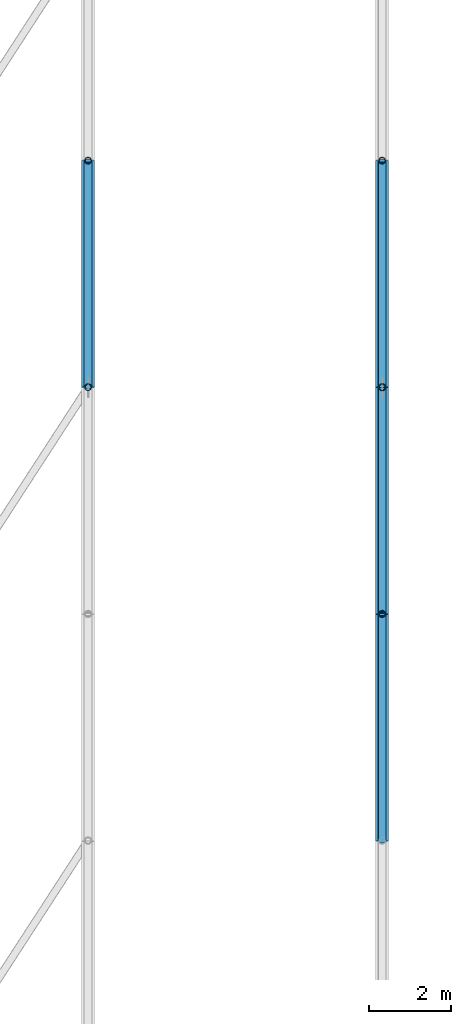
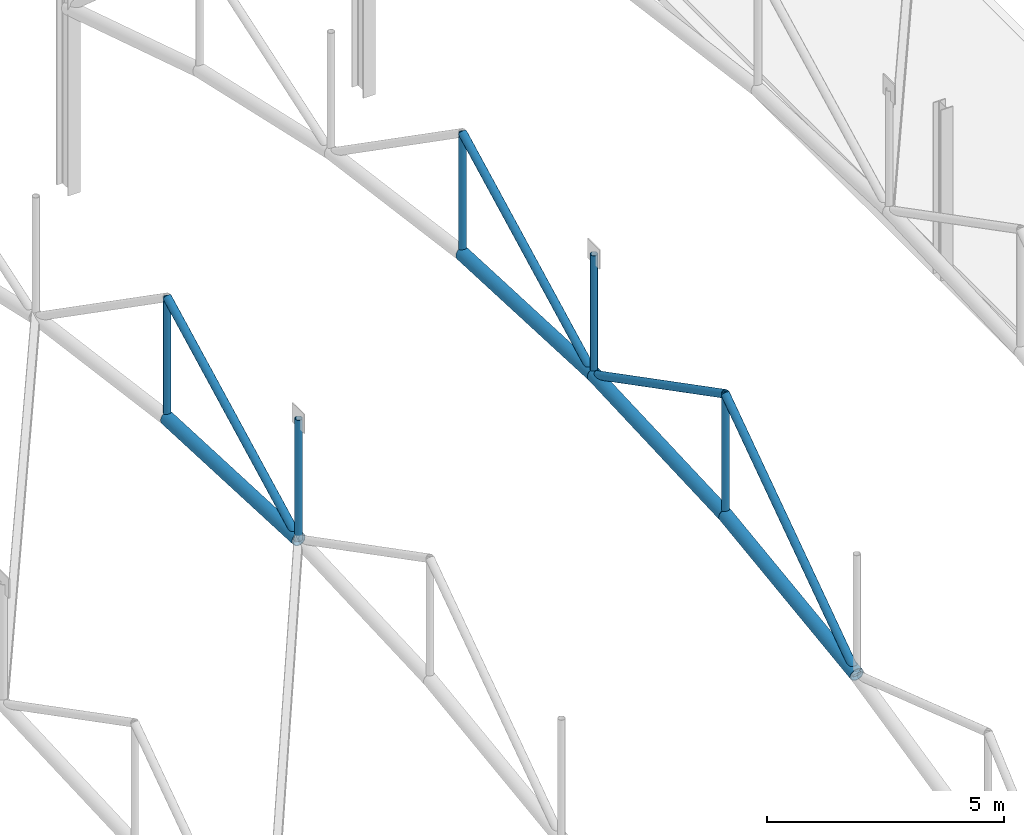
# One storey, part 44 of 153: 13 members.
"""IFC4 building model written with IfcOpenShell, lengths in metres."""

from ifc_helpers import new_model, si_unit, derived_unit, direction, frame, origin, origin_2d, place, context, subcontext, project, spatial, hollow_circle, extrude, material, material_profile, profile_set, type_object, element, save


model = new_model("IFC4")

# Units and contexts
model_context = context("Model", 3, precision=1e-05, world=origin(), true_north=direction((0.0, 1.0)))
body_context = subcontext(model_context, "Body", "Model", "MODEL_VIEW")
ifc_project = project(units=[si_unit("LENGTHUNIT", "METRE"), si_unit("AREAUNIT", "SQUARE_METRE"), si_unit("VOLUMEUNIT", "CUBIC_METRE"), si_unit("PLANEANGLEUNIT", "RADIAN"), si_unit("MASSUNIT", "GRAM", prefix="KILO"), derived_unit("THERMALTRANSMITTANCEUNIT", [(si_unit("POWERUNIT", "WATT"), 1), (si_unit("LENGTHUNIT", "METRE"), -2), (si_unit("THERMODYNAMICTEMPERATUREUNIT", "KELVIN"), -1)])], contexts=[model_context])

# Site, building, storey
site_placement = place(None, origin())
site = spatial("IfcSite", under=ifc_project, at=site_placement, CompositionType="ELEMENT")
building_placement = place(site_placement, origin())
building = spatial("IfcBuilding", under=site, at=building_placement, Name="Keldorne Ridge Multi-Sports Centre", CompositionType="ELEMENT")
storey_placement = place(building_placement, frame((0.0, 0.0, 9.60009765625)))
storey = spatial("IfcBuildingStorey", under=building, at=storey_placement, Name="L02", CompositionType="ELEMENT", Elevation=9.60009765625)

# Members
ifc_material = material(Name="Steel S355", Category="steel")
ifc_material_profile_1 = material_profile(ifc_material, hollow_circle(Radius=0.161865234375, WallThickness=0.01611328125, at=origin_2d()), Name="CHS 323.9x16")
ifc_profile_set_1 = profile_set([ifc_material_profile_1], Name="Steel S355")
member_type_1 = type_object("IfcMemberType", Name="MEM-TC-02", PredefinedType="CHORD", material=ifc_profile_set_1)
member_1_placement = place(storey_placement, frame((56.39990234375, 31.800048828125, 6.93994140625), z_axis=(0.0, 0.99898703105, -0.044999019918), x_axis=(-1.0, 0.0, 0.0)))
element("IfcMember", 1, at=member_1_placement, inside=storey, type_object=member_type_1, Name="Main Hall ROOF TRUSS AT-08 bottom chord 5", PredefinedType="CHORD", context=body_context, shape_type="SweptSolid", body=[
    extrude(hollow_circle(Radius=0.161865234375, WallThickness=0.01611328125, at=origin_2d()), origin(), (0.0, 0.0, 1.0), 5.5556640625),
])
member_2_placement = place(storey_placement, frame((63.60009765625, 20.699951171875, 7.659912109375), z_axis=(0.0, 0.990992586768, 0.13391673895), x_axis=(-1.0, 0.0, 0.0)))
element("IfcMember", 2, at=member_2_placement, inside=storey, type_object=member_type_1, Name="Main Hall ROOF TRUSS AT-09 bottom chord 3", PredefinedType="CHORD", context=body_context, shape_type="SweptSolid", body=[
    extrude(hollow_circle(Radius=0.161865234375, WallThickness=0.01611328125, at=origin_2d()), origin(), (0.0, 0.0, 1.0), 5.6005859375),
])
for number, where, z_axis, x_axis, name in (
    (3, (63.60009765625, 26.25, 8.409912109375), (0.0, 0.99898703105, 0.044999019918), (-1.0, 0.0, 0.0), "Main Hall ROOF TRUSS AT-09 bottom chord 4"),
    (4, (63.60009765625, 31.800048828125, 8.659912109375), (0.0, 0.99898703105, -0.044999019918), (-1.0, 0.0, 0.0), "Main Hall ROOF TRUSS AT-09 bottom chord 5"),
):
    element("IfcMember", number, at=place(storey_placement, frame(where, z_axis=z_axis, x_axis=x_axis)), inside=storey, type_object=member_type_1, Name=name, PredefinedType="CHORD", context=body_context, shape_type="SweptSolid", body=[
        extrude(hollow_circle(Radius=0.161865234375, WallThickness=0.01611328125, at=origin_2d()), origin(), (0.0, 0.0, 1.0), 5.5556640625),
    ])
ifc_material_profile_2 = material_profile(ifc_material, hollow_circle(Radius=0.096923828125, WallThickness=0.010009765625, at=origin_2d()), Name="CHS 193.7x10")
ifc_profile_set_2 = profile_set([ifc_material_profile_2], Name="Steel S355")
member_type_2 = type_object("IfcMemberType", Name="MEM-TD-01", PredefinedType="BRACE", material=ifc_profile_set_2)
member_3_placement = place(storey_placement, frame((56.39990234375, 31.800048828125, 6.93994140625), z_axis=(0.0, 0.888272619181, 0.459316616305), x_axis=(-1.0, 0.0, 0.0)))
element("IfcMember", 5, at=member_3_placement, inside=storey, type_object=member_type_2, Name="Main Hall ROOF TRUSS AT-08 diagonal 5", PredefinedType="BRACE", context=body_context, shape_type="SweptSolid", body=[
    extrude(hollow_circle(Radius=0.096923828125, WallThickness=0.010009765625, at=origin_2d()), origin(), (0.0, 0.0, 1.0), 6.248046875),
])
member_4_placement = place(storey_placement, frame((63.60009765625, 20.699951171875, 7.659912109375), z_axis=(0.0, 0.820283254334, 0.571957500746), x_axis=(-1.0, 0.0, 0.0)))
element("IfcMember", 6, at=member_4_placement, inside=storey, type_object=member_type_2, Name="Main Hall ROOF TRUSS AT-09 diagonal 3", PredefinedType="BRACE", context=body_context, shape_type="SweptSolid", body=[
    extrude(hollow_circle(Radius=0.096923828125, WallThickness=0.010009765625, at=origin_2d()), origin(), (0.0, 0.0, 1.0), 6.76611328125),
])
for number, where, z_axis, x_axis, name in (
    (7, (63.60009765625, 26.25, 11.52978515625), (0.0, 0.888272619181, -0.459316616305), (-1.0, 0.0, 0.0), "Main Hall ROOF TRUSS AT-09 diagonal 4"),
    (8, (63.60009765625, 31.800048828125, 8.659912109375), (0.0, 0.888272619181, 0.459316616305), (-1.0, 0.0, 0.0), "Main Hall ROOF TRUSS AT-09 diagonal 5"),
):
    element("IfcMember", number, at=place(storey_placement, frame(where, z_axis=z_axis, x_axis=x_axis)), inside=storey, type_object=member_type_2, Name=name, PredefinedType="BRACE", context=body_context, shape_type="SweptSolid", body=[
        extrude(hollow_circle(Radius=0.096923828125, WallThickness=0.010009765625, at=origin_2d()), origin(), (0.0, 0.0, 1.0), 6.248046875),
    ])
ifc_material_profile_3 = material_profile(ifc_material, hollow_circle(Radius=0.084228515625, WallThickness=0.010009765625, at=origin_2d()), Name="CHS 168.3x10")
ifc_profile_set_3 = profile_set([ifc_material_profile_3], Name="Steel S355")
member_type_3 = type_object("IfcMemberType", Name="MEM-TV-01", PredefinedType="STRUT", material=ifc_profile_set_3)
for number, where, z_axis, x_axis, name in (
    (9, (56.39990234375, 31.800048828125, 6.93994140625), (0.0, 0.0, 1.0), (1.0, 0.0, 0.0), "Main Hall ROOF TRUSS AT-08 vertical 5"),
    (10, (56.39990234375, 37.35009765625, 6.68994140625), (0.0, 0.0, 1.0), (1.0, 0.0, 0.0), "Main Hall ROOF TRUSS AT-08 vertical 6"),
    (11, (63.60009765625, 26.25, 8.409912109375), (0.0, 0.0, 1.0), (1.0, 0.0, 0.0), "Main Hall ROOF TRUSS AT-09 vertical 4"),
    (12, (63.60009765625, 31.800048828125, 8.659912109375), (0.0, 0.0, 1.0), (1.0, 0.0, 0.0), "Main Hall ROOF TRUSS AT-09 vertical 5"),
    (13, (63.60009765625, 37.35009765625, 8.409912109375), (0.0, 0.0, 1.0), (1.0, 0.0, 0.0), "Main Hall ROOF TRUSS AT-09 vertical 6"),
):
    element("IfcMember", number, at=place(storey_placement, frame(where, z_axis=z_axis, x_axis=x_axis)), inside=storey, type_object=member_type_3, Name=name, PredefinedType="STRUT", context=body_context, shape_type="SweptSolid", body=[
        extrude(hollow_circle(Radius=0.084228515625, WallThickness=0.010009765625, at=origin_2d()), origin(), (0.0, 0.0, 1.0), 3.119873046875),
    ])

save(model, "model.ifc")
